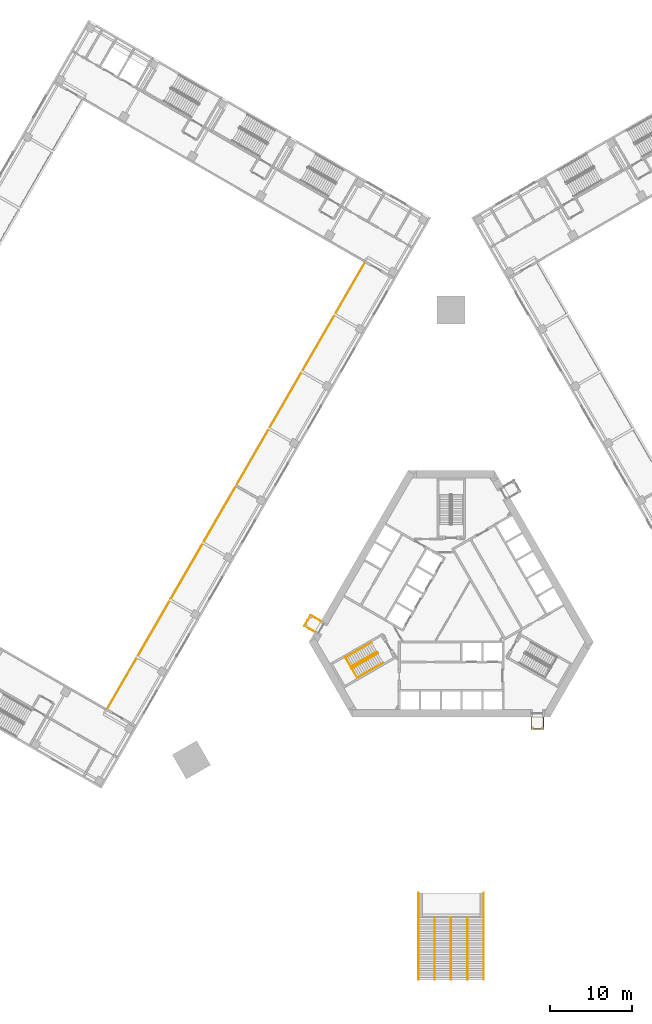
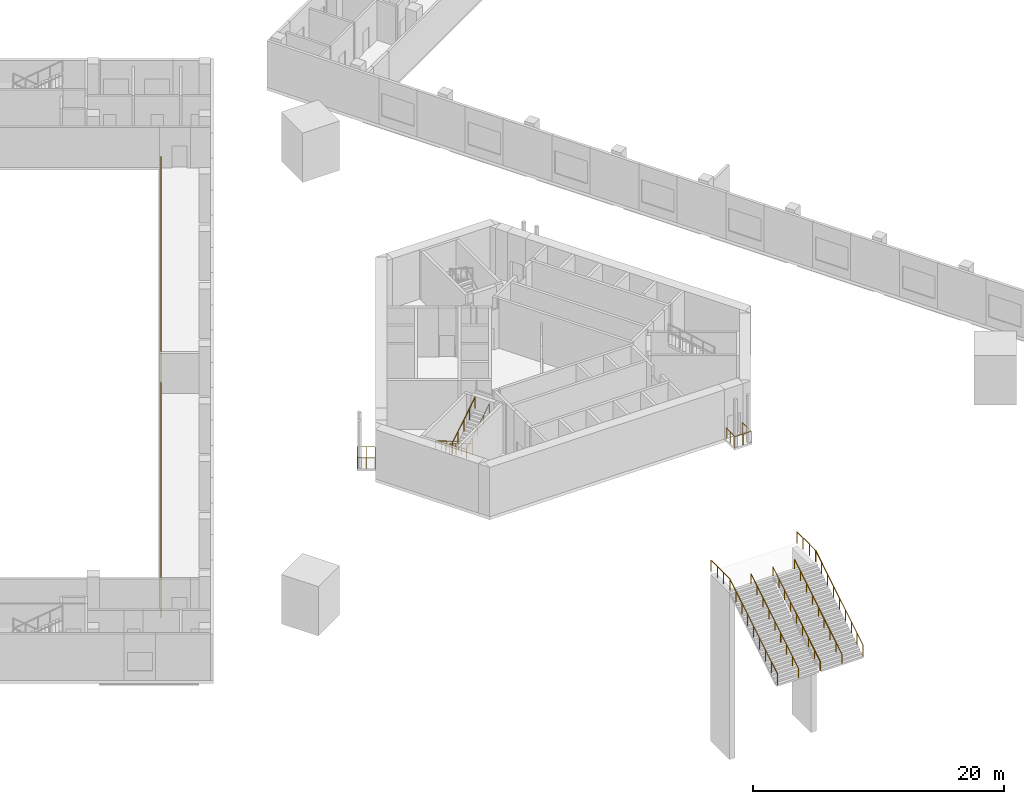
# One storey, part 22 of 28: 11 railings.
"""IFC4 building model written with IfcOpenShell, lengths in metres."""

from ifc_helpers import new_model, si_unit, direction, frame, origin, origin_2d, place, context, subcontext, project, spatial, circle, extrude, material, type_object, element, save


model = new_model("IFC4")

# Units and contexts
model_context = context("Model", 3, precision=1e-05, world=origin(), true_north=direction((0.0, 1.0)))
body_context = subcontext(model_context, "Body", "Model", "MODEL_VIEW")
ifc_project = project(units=[si_unit("LENGTHUNIT", "METRE"), si_unit("AREAUNIT", "SQUARE_METRE"), si_unit("VOLUMEUNIT", "CUBIC_METRE"), si_unit("PLANEANGLEUNIT", "RADIAN"), si_unit("MASSUNIT", "GRAM", prefix="KILO")], contexts=[model_context])

# Site, building, storey
site_placement = place(None, origin())
site = spatial("IfcSite", under=ifc_project, at=site_placement, CompositionType="ELEMENT")
building_placement = place(site_placement, origin())
building = spatial("IfcBuilding", under=site, at=building_placement, Name="Mestral Congress Tower", CompositionType="ELEMENT")
storey_placement = place(building_placement, frame((0.0, 0.0, 11.39990234375)))
storey = spatial("IfcBuildingStorey", under=building, at=storey_placement, Name="L02", CompositionType="ELEMENT", Elevation=11.39990234375)

# Railings
ifc_material_1 = material(Name="Steel balustrade", Category="steel")
railing_type_1 = type_object("IfcRailingType", Name="Podium broad stair guard 1100", PredefinedType="GUARDRAIL", material=ifc_material_1)
railing_1_placement = place(storey_placement, frame((-3.949951171875, -44.887939453125, 0.17138671875)))
element("IfcRailing", 1, at=railing_1_placement, inside=storey, type_object=railing_type_1, Name="Broad stair guard west", PredefinedType="GUARDRAIL", context=body_context, shape_type="SweptSolid", body=[
    extrude(circle(Radius=0.02392578125, at=origin_2d()), frame((0.0, 0.0, 1.076171875), z_axis=(0.0, 0.852848550754, 0.522158356705), x_axis=(-1.0, 0.0, 0.0)), (0.0, 0.0, 1.0), 8.864501953125),
    extrude(circle(Radius=0.02392578125, at=origin_2d()), frame((0.0, 7.56005859375, 5.70458984375), z_axis=(0.0, 1.0, 0.0), x_axis=(-1.0, 0.0, 0.0)), (0.0, 0.0, 1.0), 3.0),
    extrude(circle(Radius=0.02099609375, at=origin_2d()), origin(), (0.0, 0.0, 1.0), 1.052001953125),
    extrude(circle(Radius=0.02099609375, at=origin_2d()), frame((0.0, 0.945068359375, 0.57861328125)), (0.0, 0.0, 1.0), 1.052001953125),
    extrude(circle(Radius=0.02099609375, at=origin_2d()), frame((0.0, 1.89013671875, 1.1572265625)), (0.0, 0.0, 1.0), 1.052001953125),
    extrude(circle(Radius=0.02099609375, at=origin_2d()), frame((0.0, 2.8349609375, 1.73583984375)), (0.0, 0.0, 1.0), 1.052001953125),
    extrude(circle(Radius=0.02099609375, at=origin_2d()), frame((0.0, 3.780029296875, 2.314453125)), (0.0, 0.0, 1.0), 1.052001953125),
    extrude(circle(Radius=0.02099609375, at=origin_2d()), frame((0.0, 4.72509765625, 2.892822265625)), (0.0, 0.0, 1.0), 1.052001953125),
    extrude(circle(Radius=0.02099609375, at=origin_2d()), frame((0.0, 5.669921875, 3.471435546875)), (0.0, 0.0, 1.0), 1.052001953125),
    extrude(circle(Radius=0.02099609375, at=origin_2d()), frame((0.0, 6.614990234375, 4.050048828125)), (0.0, 0.0, 1.0), 1.052001953125),
    extrude(circle(Radius=0.02099609375, at=origin_2d()), frame((0.0, 7.56005859375, 4.628662109375)), (0.0, 0.0, 1.0), 1.052001953125),
    extrude(circle(Radius=0.02099609375, at=origin_2d()), frame((0.0, 8.56005859375, 4.628662109375)), (0.0, 0.0, 1.0), 1.052001953125),
    extrude(circle(Radius=0.02099609375, at=origin_2d()), frame((0.0, 9.56005859375, 4.628662109375)), (0.0, 0.0, 1.0), 1.052001953125),
    extrude(circle(Radius=0.02099609375, at=origin_2d()), frame((0.0, 10.56005859375, 4.628662109375)), (0.0, 0.0, 1.0), 1.052001953125),
])
railing_2_placement = place(storey_placement, frame((3.949951171875, -44.887939453125, 0.17138671875)))
element("IfcRailing", 2, at=railing_2_placement, inside=storey, type_object=railing_type_1, Name="Broad stair guard east", PredefinedType="GUARDRAIL", context=body_context, shape_type="SweptSolid", body=[
    extrude(circle(Radius=0.02392578125, at=origin_2d()), frame((0.0, 0.0, 1.076171875), z_axis=(0.0, 0.852848550754, 0.522158356705), x_axis=(-1.0, 0.0, 0.0)), (0.0, 0.0, 1.0), 8.864501953125),
    extrude(circle(Radius=0.02392578125, at=origin_2d()), frame((0.0, 7.56005859375, 5.70458984375), z_axis=(0.0, 1.0, 0.0), x_axis=(-1.0, 0.0, 0.0)), (0.0, 0.0, 1.0), 3.0),
    extrude(circle(Radius=0.02099609375, at=origin_2d()), origin(), (0.0, 0.0, 1.0), 1.052001953125),
    extrude(circle(Radius=0.02099609375, at=origin_2d()), frame((0.0, 0.945068359375, 0.57861328125)), (0.0, 0.0, 1.0), 1.052001953125),
    extrude(circle(Radius=0.02099609375, at=origin_2d()), frame((0.0, 1.89013671875, 1.1572265625)), (0.0, 0.0, 1.0), 1.052001953125),
    extrude(circle(Radius=0.02099609375, at=origin_2d()), frame((0.0, 2.8349609375, 1.73583984375)), (0.0, 0.0, 1.0), 1.052001953125),
    extrude(circle(Radius=0.02099609375, at=origin_2d()), frame((0.0, 3.780029296875, 2.314453125)), (0.0, 0.0, 1.0), 1.052001953125),
    extrude(circle(Radius=0.02099609375, at=origin_2d()), frame((0.0, 4.72509765625, 2.892822265625)), (0.0, 0.0, 1.0), 1.052001953125),
    extrude(circle(Radius=0.02099609375, at=origin_2d()), frame((0.0, 5.669921875, 3.471435546875)), (0.0, 0.0, 1.0), 1.052001953125),
    extrude(circle(Radius=0.02099609375, at=origin_2d()), frame((0.0, 6.614990234375, 4.050048828125)), (0.0, 0.0, 1.0), 1.052001953125),
    extrude(circle(Radius=0.02099609375, at=origin_2d()), frame((0.0, 7.56005859375, 4.628662109375)), (0.0, 0.0, 1.0), 1.052001953125),
    extrude(circle(Radius=0.02099609375, at=origin_2d()), frame((0.0, 8.56005859375, 4.628662109375)), (0.0, 0.0, 1.0), 1.052001953125),
    extrude(circle(Radius=0.02099609375, at=origin_2d()), frame((0.0, 9.56005859375, 4.628662109375)), (0.0, 0.0, 1.0), 1.052001953125),
    extrude(circle(Radius=0.02099609375, at=origin_2d()), frame((0.0, 10.56005859375, 4.628662109375)), (0.0, 0.0, 1.0), 1.052001953125),
])
ifc_material_2 = material(Name="Steel handrail", Category="steel")
railing_type_2 = type_object("IfcRailingType", Name="Podium broad stair handrail 900", PredefinedType="HANDRAIL", material=ifc_material_2)
for number, where, name in (
    (3, (-2.0, -44.887939453125, 0.17138671875), "Broad stair handrail"),
    (4, (0.0, -44.887939453125, 0.17138671875), "Broad stair handrail"),
    (5, (2.0, -44.887939453125, 0.17138671875), "Broad stair handrail"),
):
    element("IfcRailing", number, at=place(storey_placement, frame(where)), inside=storey, type_object=railing_type_2, Name=name, PredefinedType="HANDRAIL", context=body_context, shape_type="SweptSolid", body=[
        extrude(circle(Radius=0.02392578125, at=origin_2d()), frame((0.0, 0.0, 0.8759765625), z_axis=(0.0, 0.852848550754, 0.522158356705), x_axis=(-1.0, 0.0, 0.0)), (0.0, 0.0, 1.0), 8.864501953125),
        extrude(circle(Radius=0.02099609375, at=origin_2d()), origin(), (0.0, 0.0, 1.0), 0.851806640625),
        extrude(circle(Radius=0.02099609375, at=origin_2d()), frame((0.0, 0.945068359375, 0.57861328125)), (0.0, 0.0, 1.0), 0.851806640625),
        extrude(circle(Radius=0.02099609375, at=origin_2d()), frame((0.0, 1.89013671875, 1.1572265625)), (0.0, 0.0, 1.0), 0.851806640625),
        extrude(circle(Radius=0.02099609375, at=origin_2d()), frame((0.0, 2.8349609375, 1.73583984375)), (0.0, 0.0, 1.0), 0.851806640625),
        extrude(circle(Radius=0.02099609375, at=origin_2d()), frame((0.0, 3.780029296875, 2.314453125)), (0.0, 0.0, 1.0), 0.851806640625),
        extrude(circle(Radius=0.02099609375, at=origin_2d()), frame((0.0, 4.72509765625, 2.892822265625)), (0.0, 0.0, 1.0), 0.851806640625),
        extrude(circle(Radius=0.02099609375, at=origin_2d()), frame((0.0, 5.669921875, 3.471435546875)), (0.0, 0.0, 1.0), 0.851806640625),
        extrude(circle(Radius=0.02099609375, at=origin_2d()), frame((0.0, 6.614990234375, 4.050048828125)), (0.0, 0.0, 1.0), 0.851806640625),
        extrude(circle(Radius=0.02099609375, at=origin_2d()), frame((0.0, 7.56005859375, 4.628662109375)), (0.0, 0.0, 1.0), 0.851806640625),
    ])
railing_type_3 = type_object("IfcRailingType", Name="Podium door landing guard 1100", PredefinedType="GUARDRAIL", material=ifc_material_1)
railing_3_placement = place(storey_placement, frame((9.7119140625, -13.050048828125, 0.0)))
element("IfcRailing", 6, at=railing_3_placement, inside=storey, type_object=railing_type_3, Name="Door landing guard", PredefinedType="GUARDRAIL", context=body_context, shape_type="SweptSolid", body=[
    extrude(circle(Radius=0.02392578125, at=origin_2d()), frame((0.0, 0.0, 1.076171875), z_axis=(0.0, -1.0, 0.0), x_axis=(1.0, 0.0, 0.0)), (0.0, 0.0, 1.0), 1.39990234375),
    extrude(circle(Radius=0.02392578125, at=origin_2d()), frame((0.0, -1.39990234375, 1.076171875), z_axis=(1.0, 0.0, 0.0), x_axis=(0.0, 1.0, 0.0)), (0.0, 0.0, 1.0), 1.5),
    extrude(circle(Radius=0.02392578125, at=origin_2d()), frame((1.5, -1.39990234375, 1.076171875), z_axis=(0.0, 1.0, 0.0), x_axis=(-1.0, 0.0, 0.0)), (0.0, 0.0, 1.0), 1.39990234375),
    extrude(circle(Radius=0.02099609375, at=origin_2d()), origin(), (0.0, 0.0, 1.0), 1.052001953125),
    extrude(circle(Radius=0.02099609375, at=origin_2d()), frame((0.0, -0.699951171875, 0.0)), (0.0, 0.0, 1.0), 1.052001953125),
    extrude(circle(Radius=0.02099609375, at=origin_2d()), frame((0.0, -1.39990234375, 0.0)), (0.0, 0.0, 1.0), 1.052001953125),
    extrude(circle(Radius=0.02099609375, at=origin_2d()), frame((0.75, -1.39990234375, 0.0)), (0.0, 0.0, 1.0), 1.052001953125),
    extrude(circle(Radius=0.02099609375, at=origin_2d()), frame((1.5, -1.39990234375, 0.0)), (0.0, 0.0, 1.0), 1.052001953125),
    extrude(circle(Radius=0.02099609375, at=origin_2d()), frame((1.5, -0.699951171875, 0.0)), (0.0, 0.0, 1.0), 1.052001953125),
    extrude(circle(Radius=0.02099609375, at=origin_2d()), frame((1.5, 0.0, 0.0)), (0.0, 0.0, 1.0), 1.052001953125),
])
railing_4_placement = place(storey_placement, frame((-15.842529296875, -1.340087890625, 0.0)))
element("IfcRailing", 7, at=railing_4_placement, inside=storey, type_object=railing_type_3, Name="Door landing guard", PredefinedType="GUARDRAIL", context=body_context, shape_type="SweptSolid", body=[
    extrude(circle(Radius=0.02392578125, at=origin_2d()), frame((0.0, 0.0, 1.076171875), z_axis=(-0.865959057869, 0.500114896893, 0.0), x_axis=(-0.500114896893, -0.865959057869, 0.0)), (0.0, 0.0, 1.0), 1.400146484375),
    extrude(circle(Radius=0.02392578125, at=origin_2d()), frame((-1.21240234375, 0.7001953125, 1.076171875), z_axis=(-0.499919672301, -0.866071776036, 0.0), x_axis=(0.866071776036, -0.499919672301, 0.0)), (0.0, 0.0, 1.0), 1.500244140625),
    extrude(circle(Radius=0.02392578125, at=origin_2d()), frame((-1.96240234375, -0.59912109375, 1.076171875), z_axis=(0.866034573852, -0.49998411664, 0.0), x_axis=(0.49998411664, 0.866034573852, 0.0)), (0.0, 0.0, 1.0), 1.39990234375),
    extrude(circle(Radius=0.02099609375, at=origin_2d()), origin(), (0.0, 0.0, 1.0), 1.052001953125),
    extrude(circle(Radius=0.02099609375, at=origin_2d()), frame((-0.606201171875, 0.35009765625, 0.0)), (0.0, 0.0, 1.0), 1.052001953125),
    extrude(circle(Radius=0.02099609375, at=origin_2d()), frame((-1.21240234375, 0.7001953125, 0.0)), (0.0, 0.0, 1.0), 1.052001953125),
    extrude(circle(Radius=0.02099609375, at=origin_2d()), frame((-1.58740234375, 0.050537109375, 0.0)), (0.0, 0.0, 1.0), 1.052001953125),
    extrude(circle(Radius=0.02099609375, at=origin_2d()), frame((-1.96240234375, -0.59912109375, 0.0)), (0.0, 0.0, 1.0), 1.052001953125),
    extrude(circle(Radius=0.02099609375, at=origin_2d()), frame((-1.356201171875, -0.94921875, 0.0)), (0.0, 0.0, 1.0), 1.052001953125),
    extrude(circle(Radius=0.02099609375, at=origin_2d()), frame((-0.75, -1.299072265625, 0.0)), (0.0, 0.0, 1.0), 1.052001953125),
])
railing_type_4 = type_object("IfcRailingType", Name="Podium gallery guard 1100", PredefinedType="GUARDRAIL", material=ifc_material_1)
railing_5_placement = place(storey_placement, frame((-10.466552734375, 42.127197265625, 0.0)))
element("IfcRailing", 8, at=railing_5_placement, inside=storey, type_object=railing_type_4, Name="Gallery guard", PredefinedType="GUARDRAIL", context=body_context, shape_type="SweptSolid", body=[
    extrude(circle(Radius=0.02392578125, at=origin_2d()), frame((0.0, 0.0, 1.076171875), z_axis=(-0.500000851427, -0.866024912212, 0.0), x_axis=(0.866024912212, -0.500000851427, 0.0)), (0.0, 0.0, 1.0), 62.5),
    extrude(circle(Radius=0.02099609375, at=origin_2d()), origin(), (0.0, 0.0, 1.0), 1.052001953125),
    extrude(circle(Radius=0.02099609375, at=origin_2d()), frame((-0.589599609375, -1.021240234375, 0.0)), (0.0, 0.0, 1.0), 1.052001953125),
    extrude(circle(Radius=0.02099609375, at=origin_2d()), frame((-1.17919921875, -2.04248046875, 0.0)), (0.0, 0.0, 1.0), 1.052001953125),
    extrude(circle(Radius=0.02099609375, at=origin_2d()), frame((-1.768798828125, -3.063720703125, 0.0)), (0.0, 0.0, 1.0), 1.052001953125),
    extrude(circle(Radius=0.02099609375, at=origin_2d()), frame((-2.3583984375, -4.0849609375, 0.0)), (0.0, 0.0, 1.0), 1.052001953125),
    extrude(circle(Radius=0.02099609375, at=origin_2d()), frame((-2.947998046875, -5.106201171875, 0.0)), (0.0, 0.0, 1.0), 1.052001953125),
    extrude(circle(Radius=0.02099609375, at=origin_2d()), frame((-3.537841796875, -6.12744140625, 0.0)), (0.0, 0.0, 1.0), 1.052001953125),
    extrude(circle(Radius=0.02099609375, at=origin_2d()), frame((-4.12744140625, -7.148681640625, 0.0)), (0.0, 0.0, 1.0), 1.052001953125),
    extrude(circle(Radius=0.02099609375, at=origin_2d()), frame((-4.717041015625, -8.169921875, 0.0)), (0.0, 0.0, 1.0), 1.052001953125),
    extrude(circle(Radius=0.02099609375, at=origin_2d()), frame((-5.306640625, -9.19140625, 0.0)), (0.0, 0.0, 1.0), 1.052001953125),
    extrude(circle(Radius=0.02099609375, at=origin_2d()), frame((-5.896240234375, -10.212646484375, 0.0)), (0.0, 0.0, 1.0), 1.052001953125),
    extrude(circle(Radius=0.02099609375, at=origin_2d()), frame((-6.48583984375, -11.23388671875, 0.0)), (0.0, 0.0, 1.0), 1.052001953125),
    extrude(circle(Radius=0.02099609375, at=origin_2d()), frame((-7.075439453125, -12.255126953125, 0.0)), (0.0, 0.0, 1.0), 1.052001953125),
    extrude(circle(Radius=0.02099609375, at=origin_2d()), frame((-7.6650390625, -13.2763671875, 0.0)), (0.0, 0.0, 1.0), 1.052001953125),
    extrude(circle(Radius=0.02099609375, at=origin_2d()), frame((-8.254638671875, -14.297607421875, 0.0)), (0.0, 0.0, 1.0), 1.052001953125),
    extrude(circle(Radius=0.02099609375, at=origin_2d()), frame((-8.84423828125, -15.31884765625, 0.0)), (0.0, 0.0, 1.0), 1.052001953125),
    extrude(circle(Radius=0.02099609375, at=origin_2d()), frame((-9.43408203125, -16.340087890625, 0.0)), (0.0, 0.0, 1.0), 1.052001953125),
    extrude(circle(Radius=0.02099609375, at=origin_2d()), frame((-10.023681640625, -17.361328125, 0.0)), (0.0, 0.0, 1.0), 1.052001953125),
    extrude(circle(Radius=0.02099609375, at=origin_2d()), frame((-10.61328125, -18.382568359375, 0.0)), (0.0, 0.0, 1.0), 1.052001953125),
    extrude(circle(Radius=0.02099609375, at=origin_2d()), frame((-11.202880859375, -19.40380859375, 0.0)), (0.0, 0.0, 1.0), 1.052001953125),
    extrude(circle(Radius=0.02099609375, at=origin_2d()), frame((-11.79248046875, -20.425048828125, 0.0)), (0.0, 0.0, 1.0), 1.052001953125),
    extrude(circle(Radius=0.02099609375, at=origin_2d()), frame((-12.382080078125, -21.4462890625, 0.0)), (0.0, 0.0, 1.0), 1.052001953125),
    extrude(circle(Radius=0.02099609375, at=origin_2d()), frame((-12.9716796875, -22.467529296875, 0.0)), (0.0, 0.0, 1.0), 1.052001953125),
    extrude(circle(Radius=0.02099609375, at=origin_2d()), frame((-13.561279296875, -23.48876953125, 0.0)), (0.0, 0.0, 1.0), 1.052001953125),
    extrude(circle(Radius=0.02099609375, at=origin_2d()), frame((-14.15087890625, -24.510009765625, 0.0)), (0.0, 0.0, 1.0), 1.052001953125),
    extrude(circle(Radius=0.02099609375, at=origin_2d()), frame((-14.740478515625, -25.53125, 0.0)), (0.0, 0.0, 1.0), 1.052001953125),
    extrude(circle(Radius=0.02099609375, at=origin_2d()), frame((-15.330078125, -26.552490234375, 0.0)), (0.0, 0.0, 1.0), 1.052001953125),
    extrude(circle(Radius=0.02099609375, at=origin_2d()), frame((-15.919921875, -27.573974609375, 0.0)), (0.0, 0.0, 1.0), 1.052001953125),
    extrude(circle(Radius=0.02099609375, at=origin_2d()), frame((-16.509521484375, -28.59521484375, 0.0)), (0.0, 0.0, 1.0), 1.052001953125),
    extrude(circle(Radius=0.02099609375, at=origin_2d()), frame((-17.09912109375, -29.616455078125, 0.0)), (0.0, 0.0, 1.0), 1.052001953125),
    extrude(circle(Radius=0.02099609375, at=origin_2d()), frame((-17.688720703125, -30.6376953125, 0.0)), (0.0, 0.0, 1.0), 1.052001953125),
    extrude(circle(Radius=0.02099609375, at=origin_2d()), frame((-18.2783203125, -31.658935546875, 0.0)), (0.0, 0.0, 1.0), 1.052001953125),
    extrude(circle(Radius=0.02099609375, at=origin_2d()), frame((-18.867919921875, -32.68017578125, 0.0)), (0.0, 0.0, 1.0), 1.052001953125),
    extrude(circle(Radius=0.02099609375, at=origin_2d()), frame((-19.45751953125, -33.701416015625, 0.0)), (0.0, 0.0, 1.0), 1.052001953125),
    extrude(circle(Radius=0.02099609375, at=origin_2d()), frame((-20.047119140625, -34.72265625, 0.0)), (0.0, 0.0, 1.0), 1.052001953125),
    extrude(circle(Radius=0.02099609375, at=origin_2d()), frame((-20.63671875, -35.743896484375, 0.0)), (0.0, 0.0, 1.0), 1.052001953125),
    extrude(circle(Radius=0.02099609375, at=origin_2d()), frame((-21.226318359375, -36.76513671875, 0.0)), (0.0, 0.0, 1.0), 1.052001953125),
    extrude(circle(Radius=0.02099609375, at=origin_2d()), frame((-21.81591796875, -37.786376953125, 0.0)), (0.0, 0.0, 1.0), 1.052001953125),
    extrude(circle(Radius=0.02099609375, at=origin_2d()), frame((-22.40576171875, -38.8076171875, 0.0)), (0.0, 0.0, 1.0), 1.052001953125),
    extrude(circle(Radius=0.02099609375, at=origin_2d()), frame((-22.995361328125, -39.828857421875, 0.0)), (0.0, 0.0, 1.0), 1.052001953125),
    extrude(circle(Radius=0.02099609375, at=origin_2d()), frame((-23.5849609375, -40.85009765625, 0.0)), (0.0, 0.0, 1.0), 1.052001953125),
    extrude(circle(Radius=0.02099609375, at=origin_2d()), frame((-24.174560546875, -41.871337890625, 0.0)), (0.0, 0.0, 1.0), 1.052001953125),
    extrude(circle(Radius=0.02099609375, at=origin_2d()), frame((-24.76416015625, -42.892578125, 0.0)), (0.0, 0.0, 1.0), 1.052001953125),
    extrude(circle(Radius=0.02099609375, at=origin_2d()), frame((-25.353759765625, -43.913818359375, 0.0)), (0.0, 0.0, 1.0), 1.052001953125),
    extrude(circle(Radius=0.02099609375, at=origin_2d()), frame((-25.943359375, -44.93505859375, 0.0)), (0.0, 0.0, 1.0), 1.052001953125),
    extrude(circle(Radius=0.02099609375, at=origin_2d()), frame((-26.532958984375, -45.95654296875, 0.0)), (0.0, 0.0, 1.0), 1.052001953125),
    extrude(circle(Radius=0.02099609375, at=origin_2d()), frame((-27.12255859375, -46.977783203125, 0.0)), (0.0, 0.0, 1.0), 1.052001953125),
    extrude(circle(Radius=0.02099609375, at=origin_2d()), frame((-27.712158203125, -47.9990234375, 0.0)), (0.0, 0.0, 1.0), 1.052001953125),
    extrude(circle(Radius=0.02099609375, at=origin_2d()), frame((-28.302001953125, -49.020263671875, 0.0)), (0.0, 0.0, 1.0), 1.052001953125),
    extrude(circle(Radius=0.02099609375, at=origin_2d()), frame((-28.8916015625, -50.04150390625, 0.0)), (0.0, 0.0, 1.0), 1.052001953125),
    extrude(circle(Radius=0.02099609375, at=origin_2d()), frame((-29.481201171875, -51.062744140625, 0.0)), (0.0, 0.0, 1.0), 1.052001953125),
    extrude(circle(Radius=0.02099609375, at=origin_2d()), frame((-30.07080078125, -52.083984375, 0.0)), (0.0, 0.0, 1.0), 1.052001953125),
    extrude(circle(Radius=0.02099609375, at=origin_2d()), frame((-30.660400390625, -53.105224609375, 0.0)), (0.0, 0.0, 1.0), 1.052001953125),
    extrude(circle(Radius=0.02099609375, at=origin_2d()), frame((-31.25, -54.12646484375, 0.0)), (0.0, 0.0, 1.0), 1.052001953125),
])
railing_type_5 = type_object("IfcRailingType", Name="Stair guard 1100", PredefinedType="GUARDRAIL", material=ifc_material_1)
railing_6_placement = place(storey_placement, frame((-9.02587890625, -5.066650390625, 0.171630859375)))
element("IfcRailing", 9, at=railing_6_placement, inside=storey, type_object=railing_type_5, Name="L02 ST3 stair guard 1", PredefinedType="GUARDRAIL", context=body_context, shape_type="SweptSolid", body=[
    extrude(circle(Radius=0.02392578125, at=origin_2d()), frame((0.0, 0.0, 1.076171875), z_axis=(-0.738592093898, -0.426440834883, 0.522139764025), x_axis=(0.500012742938, -0.866018046521, 0.0)), (0.0, 0.0, 1.0), 4.26806640625),
    extrude(circle(Radius=0.02392578125, at=origin_2d()), frame((-3.15234375, -1.820068359375, 3.3046875), z_axis=(0.274721127897, -0.961523947641, 0.0), x_axis=(0.961523947641, 0.274721127897, 0.0)), (0.0, 0.0, 1.0), 0.2060546875),
    extrude(circle(Radius=0.02099609375, at=origin_2d()), origin(), (0.0, 0.0, 1.0), 1.052001953125),
    extrude(circle(Radius=0.02099609375, at=origin_2d()), frame((-0.7880859375, -0.455078125, 0.55712890625)), (0.0, 0.0, 1.0), 1.052001953125),
    extrude(circle(Radius=0.02099609375, at=origin_2d()), frame((-1.576171875, -0.91015625, 1.1142578125)), (0.0, 0.0, 1.0), 1.052001953125),
    extrude(circle(Radius=0.02099609375, at=origin_2d()), frame((-2.3642578125, -1.364990234375, 1.67138671875)), (0.0, 0.0, 1.0), 1.052001953125),
    extrude(circle(Radius=0.02099609375, at=origin_2d()), frame((-3.15234375, -1.820068359375, 2.228515625)), (0.0, 0.0, 1.0), 1.052001953125),
    extrude(circle(Radius=0.02099609375, at=origin_2d()), frame((-3.095703125, -2.018310546875, 2.228515625)), (0.0, 0.0, 1.0), 1.052001953125),
])
railing_7_placement = place(storey_placement, frame((-12.05322265625, -7.103271484375, 2.571533203125)))
element("IfcRailing", 10, at=railing_7_placement, inside=storey, type_object=railing_type_5, Name="L02 ST3 stair guard 2", PredefinedType="GUARDRAIL", context=body_context, shape_type="SweptSolid", body=[
    extrude(circle(Radius=0.02392578125, at=origin_2d()), frame((0.0, 0.0, 1.076171875), z_axis=(0.738592093898, 0.426440834883, 0.522139764025), x_axis=(-0.500012742938, 0.866018046521, 0.0)), (0.0, 0.0, 1.0), 4.26806640625),
    extrude(circle(Radius=0.02099609375, at=origin_2d()), origin(), (0.0, 0.0, 1.0), 1.052001953125),
    extrude(circle(Radius=0.02099609375, at=origin_2d()), frame((0.7880859375, 0.455078125, 0.55712890625)), (0.0, 0.0, 1.0), 1.052001953125),
    extrude(circle(Radius=0.02099609375, at=origin_2d()), frame((1.576171875, 0.91015625, 1.1142578125)), (0.0, 0.0, 1.0), 1.052001953125),
    extrude(circle(Radius=0.02099609375, at=origin_2d()), frame((2.3642578125, 1.364990234375, 1.67138671875)), (0.0, 0.0, 1.0), 1.052001953125),
    extrude(circle(Radius=0.02099609375, at=origin_2d()), frame((3.15234375, 1.820068359375, 2.228515625)), (0.0, 0.0, 1.0), 1.052001953125),
])
railing_type_6 = type_object("IfcRailingType", Name="Stair handrail 900", PredefinedType="HANDRAIL", material=ifc_material_2)
railing_8_placement = place(storey_placement, frame((-9.67578125, -3.94091796875, 0.171630859375)))
element("IfcRailing", 11, at=railing_8_placement, inside=storey, type_object=railing_type_6, Name="L02 ST3 stair handrail 1", PredefinedType="HANDRAIL", context=body_context, shape_type="SweptSolid", body=[
    extrude(circle(Radius=0.02392578125, at=origin_2d()), frame((0.0, 0.0, 0.8759765625), z_axis=(-0.738592093898, -0.426440834883, 0.522139764025), x_axis=(0.500012742938, -0.866018046521, 0.0)), (0.0, 0.0, 1.0), 4.26806640625),
    extrude(circle(Radius=0.02392578125, at=origin_2d()), frame((-3.15234375, -1.820068359375, 3.1044921875), z_axis=(0.4991346079, -0.86444265055, 0.060029551952), x_axis=(0.866004402611, 0.500036373335, 0.0)), (0.0, 0.0, 1.0), 2.85498046875),
    extrude(circle(Radius=0.02392578125, at=origin_2d()), frame((-1.727294921875, -4.2880859375, 3.27587890625), z_axis=(0.738584112002, 0.426412049482, 0.522174562339), x_axis=(-0.499991481599, 0.86603032183, 0.0)), (0.0, 0.0, 1.0), 4.267822265625),
    extrude(circle(Radius=0.02099609375, at=origin_2d()), origin(), (0.0, 0.0, 1.0), 0.851806640625),
    extrude(circle(Radius=0.02099609375, at=origin_2d()), frame((-0.7880859375, -0.455078125, 0.55712890625)), (0.0, 0.0, 1.0), 0.851806640625),
    extrude(circle(Radius=0.02099609375, at=origin_2d()), frame((-1.576171875, -0.91015625, 1.1142578125)), (0.0, 0.0, 1.0), 0.851806640625),
    extrude(circle(Radius=0.02099609375, at=origin_2d()), frame((-2.3642578125, -1.364990234375, 1.67138671875)), (0.0, 0.0, 1.0), 0.851806640625),
    extrude(circle(Radius=0.02099609375, at=origin_2d()), frame((-3.15234375, -1.820068359375, 2.228515625)), (0.0, 0.0, 1.0), 0.851806640625),
    extrude(circle(Radius=0.02099609375, at=origin_2d()), frame((-2.67724609375, -2.642822265625, 2.28564453125)), (0.0, 0.0, 1.0), 0.851806640625),
    extrude(circle(Radius=0.02099609375, at=origin_2d()), frame((-2.202392578125, -3.46533203125, 2.3427734375)), (0.0, 0.0, 1.0), 0.851806640625),
    extrude(circle(Radius=0.02099609375, at=origin_2d()), frame((-1.727294921875, -4.2880859375, 2.39990234375)), (0.0, 0.0, 1.0), 0.851806640625),
    extrude(circle(Radius=0.02099609375, at=origin_2d()), frame((-0.939208984375, -3.8330078125, 2.95703125)), (0.0, 0.0, 1.0), 0.851806640625),
    extrude(circle(Radius=0.02099609375, at=origin_2d()), frame((-0.1513671875, -3.378173828125, 3.51416015625)), (0.0, 0.0, 1.0), 0.851806640625),
    extrude(circle(Radius=0.02099609375, at=origin_2d()), frame((0.63671875, -2.92333984375, 4.0712890625)), (0.0, 0.0, 1.0), 0.851806640625),
    extrude(circle(Radius=0.02099609375, at=origin_2d()), frame((1.4248046875, -2.46826171875, 4.62841796875)), (0.0, 0.0, 1.0), 0.851806640625),
])

save(model, "model.ifc")
